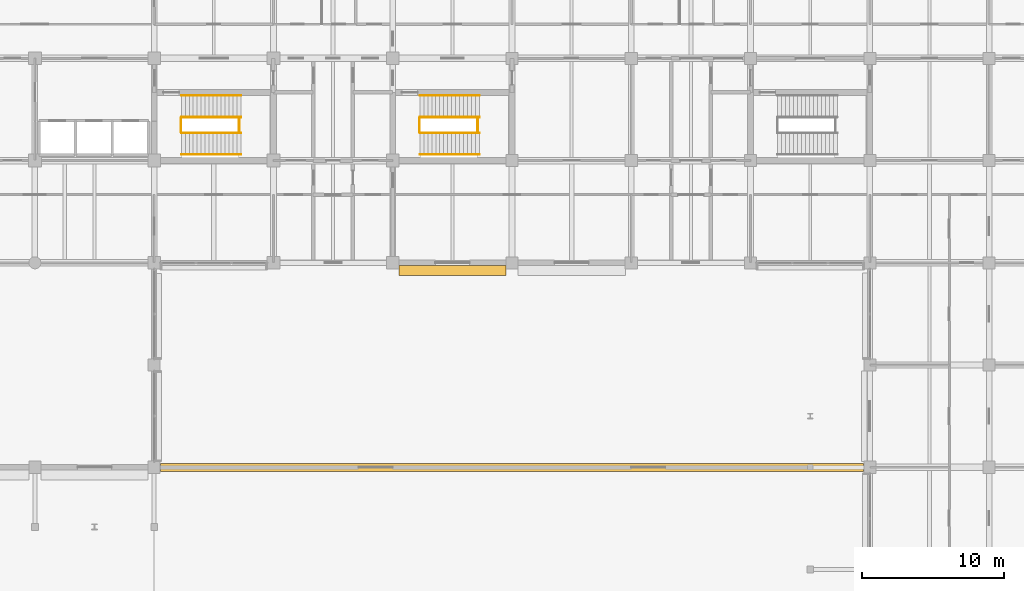
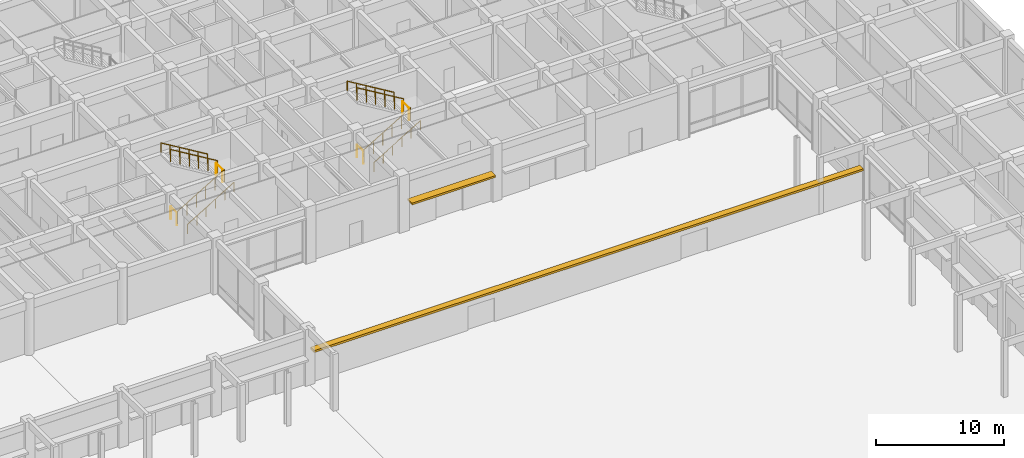
# One storey, part 70 of 73: 12 railings, 2 shading devices.
"""IFC4 building model written with IfcOpenShell, lengths in metres."""

from ifc_helpers import new_model, si_unit, direction, frame, origin, origin_2d, place, context, subcontext, project, spatial, rectangle, circle, extrude, material, type_object, element, save


model = new_model("IFC4")

# Units and contexts
model_context = context("Model", 3, precision=1e-05, world=origin(), true_north=direction((0.0, 1.0)))
body_context = subcontext(model_context, "Body", "Model", "MODEL_VIEW")
ifc_project = project(units=[si_unit("LENGTHUNIT", "METRE"), si_unit("AREAUNIT", "SQUARE_METRE"), si_unit("VOLUMEUNIT", "CUBIC_METRE"), si_unit("PLANEANGLEUNIT", "RADIAN"), si_unit("MASSUNIT", "GRAM", prefix="KILO")], contexts=[model_context])

# Site, building, storey
site_placement = place(None, origin())
site = spatial("IfcSite", under=ifc_project, at=site_placement, CompositionType="ELEMENT")
building_placement = place(site_placement, origin())
building = spatial("IfcBuilding", under=site, at=building_placement, Name="Chengyuan Square Courthouse", CompositionType="ELEMENT")
storey_placement = place(building_placement, origin())
storey = spatial("IfcBuildingStorey", under=building, at=storey_placement, Name="L01", CompositionType="ELEMENT", Elevation=0.0)

# Railings
ifc_material_1 = material(Name="Tempered Glass and Timber Top-Rail Balustrade", Category="wood")
railing_type_1 = type_object("IfcRailingType", Name="RL-02", PredefinedType="BALUSTRADE", material=ifc_material_1)
for number, where, name in (
    (1, (102.68994140625, 88.39990234375, 0.0), "Stair Floor Slot Guard ST-4 L01"),
    (2, (106.7900390625, 88.39990234375, 2.699951171875), "Stair Landing Guard ST-4-L01"),
):
    element("IfcRailing", number, at=place(storey_placement, frame(where)), inside=storey, type_object=railing_type_1, Name=name, PredefinedType="BALUSTRADE", context=body_context, shape_type="SweptSolid", body=[
        extrude(circle(Radius=0.02392578125, at=origin_2d()), frame((0.0, 0.0, 1.17578125), z_axis=(0.0, 1.0, 0.0), x_axis=(-1.0, 0.0, 0.0)), (0.0, 0.0, 1.0), 1.0),
        extrude(circle(Radius=0.02099609375, at=origin_2d()), origin(), (0.0, 0.0, 1.0), 1.15185546875),
        extrude(circle(Radius=0.02099609375, at=origin_2d()), frame((0.0, 1.0, 0.0)), (0.0, 0.0, 1.0), 1.15185546875),
    ])
railing_1_placement = place(storey_placement, frame((102.7099609375, 88.35009765625, 0.168701171875)))
element("IfcRailing", 3, at=railing_1_placement, inside=storey, type_object=railing_type_1, Name="Stair Flight 1 Guard ST-4-L01", PredefinedType="BALUSTRADE", context=body_context, shape_type="SweptSolid", body=[
    extrude(circle(Radius=0.02392578125, at=origin_2d()), frame((0.0, 0.0, 1.17578125), z_axis=(0.856476492594, 0.0, 0.516186030065), x_axis=(0.0, 1.0, 0.0)), (0.0, 0.0, 1.0), 4.90380859375),
    extrude(circle(Radius=0.02099609375, at=origin_2d()), origin(), (0.0, 0.0, 1.0), 1.15185546875),
    extrude(circle(Radius=0.02099609375, at=origin_2d()), frame((0.840087890625, 0.0, 0.50634765625)), (0.0, 0.0, 1.0), 1.15185546875),
    extrude(circle(Radius=0.02099609375, at=origin_2d()), frame((1.679931640625, 0.0, 1.012451171875)), (0.0, 0.0, 1.0), 1.15185546875),
    extrude(circle(Radius=0.02099609375, at=origin_2d()), frame((2.52001953125, 0.0, 1.518798828125)), (0.0, 0.0, 1.0), 1.15185546875),
    extrude(circle(Radius=0.02099609375, at=origin_2d()), frame((3.35986328125, 0.0, 2.02490234375)), (0.0, 0.0, 1.0), 1.15185546875),
    extrude(circle(Radius=0.02099609375, at=origin_2d()), frame((4.199951171875, 0.0, 2.53125)), (0.0, 0.0, 1.0), 1.15185546875),
])
railing_2_placement = place(storey_placement, frame((106.909912109375, 89.449951171875, 2.868896484375)))
element("IfcRailing", 4, at=railing_2_placement, inside=storey, type_object=railing_type_1, Name="Stair Flight 2 Guard ST-4-L01", PredefinedType="BALUSTRADE", context=body_context, shape_type="SweptSolid", body=[
    extrude(circle(Radius=0.02392578125, at=origin_2d()), frame((0.0, 0.0, 1.17578125), z_axis=(-0.856498503035, 0.0, 0.5161495077), x_axis=(0.0, -1.0, 0.0)), (0.0, 0.0, 1.0), 4.903564453125),
    extrude(circle(Radius=0.02099609375, at=origin_2d()), origin(), (0.0, 0.0, 1.0), 1.15185546875),
    extrude(circle(Radius=0.02099609375, at=origin_2d()), frame((-0.840087890625, 0.0, 0.506103515625)), (0.0, 0.0, 1.0), 1.15185546875),
    extrude(circle(Radius=0.02099609375, at=origin_2d()), frame((-1.679931640625, 0.0, 1.012451171875)), (0.0, 0.0, 1.0), 1.15185546875),
    extrude(circle(Radius=0.02099609375, at=origin_2d()), frame((-2.52001953125, 0.0, 1.5185546875)), (0.0, 0.0, 1.0), 1.15185546875),
    extrude(circle(Radius=0.02099609375, at=origin_2d()), frame((-3.35986328125, 0.0, 2.02490234375)), (0.0, 0.0, 1.0), 1.15185546875),
    extrude(circle(Radius=0.02099609375, at=origin_2d()), frame((-4.199951171875, 0.0, 2.531005859375)), (0.0, 0.0, 1.0), 1.15185546875),
])
for number, where, name in (
    (5, (119.489990234375, 88.39990234375, 0.0), "Stair Floor Slot Guard ST-6 L01"),
    (6, (123.590087890625, 88.39990234375, 2.699951171875), "Stair Landing Guard ST-6-L01"),
):
    element("IfcRailing", number, at=place(storey_placement, frame(where)), inside=storey, type_object=railing_type_1, Name=name, PredefinedType="BALUSTRADE", context=body_context, shape_type="SweptSolid", body=[
        extrude(circle(Radius=0.02392578125, at=origin_2d()), frame((0.0, 0.0, 1.17578125), z_axis=(0.0, 1.0, 0.0), x_axis=(-1.0, 0.0, 0.0)), (0.0, 0.0, 1.0), 1.0),
        extrude(circle(Radius=0.02099609375, at=origin_2d()), origin(), (0.0, 0.0, 1.0), 1.15185546875),
        extrude(circle(Radius=0.02099609375, at=origin_2d()), frame((0.0, 1.0, 0.0)), (0.0, 0.0, 1.0), 1.15185546875),
    ])
railing_3_placement = place(storey_placement, frame((119.510009765625, 88.35009765625, 0.168701171875)))
element("IfcRailing", 7, at=railing_3_placement, inside=storey, type_object=railing_type_1, Name="Stair Flight 1 Guard ST-6-L01", PredefinedType="BALUSTRADE", context=body_context, shape_type="SweptSolid", body=[
    extrude(circle(Radius=0.02392578125, at=origin_2d()), frame((0.0, 0.0, 1.17578125), z_axis=(0.856476492594, 0.0, 0.516186030065), x_axis=(0.0, 1.0, 0.0)), (0.0, 0.0, 1.0), 4.90380859375),
    extrude(circle(Radius=0.02099609375, at=origin_2d()), origin(), (0.0, 0.0, 1.0), 1.15185546875),
    extrude(circle(Radius=0.02099609375, at=origin_2d()), frame((0.840087890625, 0.0, 0.50634765625)), (0.0, 0.0, 1.0), 1.15185546875),
    extrude(circle(Radius=0.02099609375, at=origin_2d()), frame((1.679931640625, 0.0, 1.012451171875)), (0.0, 0.0, 1.0), 1.15185546875),
    extrude(circle(Radius=0.02099609375, at=origin_2d()), frame((2.52001953125, 0.0, 1.518798828125)), (0.0, 0.0, 1.0), 1.15185546875),
    extrude(circle(Radius=0.02099609375, at=origin_2d()), frame((3.35986328125, 0.0, 2.02490234375)), (0.0, 0.0, 1.0), 1.15185546875),
    extrude(circle(Radius=0.02099609375, at=origin_2d()), frame((4.199951171875, 0.0, 2.53125)), (0.0, 0.0, 1.0), 1.15185546875),
])
railing_4_placement = place(storey_placement, frame((123.7099609375, 89.449951171875, 2.868896484375)))
element("IfcRailing", 8, at=railing_4_placement, inside=storey, type_object=railing_type_1, Name="Stair Flight 2 Guard ST-6-L01", PredefinedType="BALUSTRADE", context=body_context, shape_type="SweptSolid", body=[
    extrude(circle(Radius=0.02392578125, at=origin_2d()), frame((0.0, 0.0, 1.17578125), z_axis=(-0.856498503035, 0.0, 0.5161495077), x_axis=(0.0, -1.0, 0.0)), (0.0, 0.0, 1.0), 4.903564453125),
    extrude(circle(Radius=0.02099609375, at=origin_2d()), origin(), (0.0, 0.0, 1.0), 1.15185546875),
    extrude(circle(Radius=0.02099609375, at=origin_2d()), frame((-0.840087890625, 0.0, 0.506103515625)), (0.0, 0.0, 1.0), 1.15185546875),
    extrude(circle(Radius=0.02099609375, at=origin_2d()), frame((-1.679931640625, 0.0, 1.012451171875)), (0.0, 0.0, 1.0), 1.15185546875),
    extrude(circle(Radius=0.02099609375, at=origin_2d()), frame((-2.52001953125, 0.0, 1.5185546875)), (0.0, 0.0, 1.0), 1.15185546875),
    extrude(circle(Radius=0.02099609375, at=origin_2d()), frame((-3.35986328125, 0.0, 2.02490234375)), (0.0, 0.0, 1.0), 1.15185546875),
    extrude(circle(Radius=0.02099609375, at=origin_2d()), frame((-4.199951171875, 0.0, 2.531005859375)), (0.0, 0.0, 1.0), 1.15185546875),
])
ifc_material_2 = material(Name="Stainless Steel S30408 Stair Handrail", Category="steel")
railing_type_2 = type_object("IfcRailingType", Name="RL-04", PredefinedType="HANDRAIL", material=ifc_material_2)
railing_5_placement = place(storey_placement, frame((102.7099609375, 86.820068359375, 0.168701171875)))
element("IfcRailing", 9, at=railing_5_placement, inside=storey, type_object=railing_type_2, Name="Stair Flight 1 Handrail ST-4-L01", PredefinedType="HANDRAIL", context=body_context, shape_type="SweptSolid", body=[
    extrude(circle(Radius=0.02392578125, at=origin_2d()), frame((0.0, 0.0, 0.8759765625), z_axis=(0.856476492594, 0.0, 0.516186030065), x_axis=(0.0, 1.0, 0.0)), (0.0, 0.0, 1.0), 4.90380859375),
    extrude(circle(Radius=0.02099609375, at=origin_2d()), origin(), (0.0, 0.0, 1.0), 0.851806640625),
    extrude(circle(Radius=0.02099609375, at=origin_2d()), frame((0.840087890625, 0.0, 0.50634765625)), (0.0, 0.0, 1.0), 0.851806640625),
    extrude(circle(Radius=0.02099609375, at=origin_2d()), frame((1.679931640625, 0.0, 1.012451171875)), (0.0, 0.0, 1.0), 0.851806640625),
    extrude(circle(Radius=0.02099609375, at=origin_2d()), frame((2.52001953125, 0.0, 1.518798828125)), (0.0, 0.0, 1.0), 0.851806640625),
    extrude(circle(Radius=0.02099609375, at=origin_2d()), frame((3.35986328125, 0.0, 2.02490234375)), (0.0, 0.0, 1.0), 0.851806640625),
    extrude(circle(Radius=0.02099609375, at=origin_2d()), frame((4.199951171875, 0.0, 2.53125)), (0.0, 0.0, 1.0), 0.851806640625),
])
railing_6_placement = place(storey_placement, frame((106.909912109375, 90.97998046875, 2.868896484375)))
element("IfcRailing", 10, at=railing_6_placement, inside=storey, type_object=railing_type_2, Name="Stair Flight 2 Handrail ST-4-L01", PredefinedType="HANDRAIL", context=body_context, shape_type="SweptSolid", body=[
    extrude(circle(Radius=0.02392578125, at=origin_2d()), frame((0.0, 0.0, 0.8759765625), z_axis=(-0.856498503035, 0.0, 0.5161495077), x_axis=(0.0, -1.0, 0.0)), (0.0, 0.0, 1.0), 4.903564453125),
    extrude(circle(Radius=0.02099609375, at=origin_2d()), origin(), (0.0, 0.0, 1.0), 0.851806640625),
    extrude(circle(Radius=0.02099609375, at=origin_2d()), frame((-0.840087890625, 0.0, 0.506103515625)), (0.0, 0.0, 1.0), 0.851806640625),
    extrude(circle(Radius=0.02099609375, at=origin_2d()), frame((-1.679931640625, 0.0, 1.012451171875)), (0.0, 0.0, 1.0), 0.851806640625),
    extrude(circle(Radius=0.02099609375, at=origin_2d()), frame((-2.52001953125, 0.0, 1.5185546875)), (0.0, 0.0, 1.0), 0.851806640625),
    extrude(circle(Radius=0.02099609375, at=origin_2d()), frame((-3.35986328125, 0.0, 2.02490234375)), (0.0, 0.0, 1.0), 0.851806640625),
    extrude(circle(Radius=0.02099609375, at=origin_2d()), frame((-4.199951171875, 0.0, 2.531005859375)), (0.0, 0.0, 1.0), 0.851806640625),
])
railing_7_placement = place(storey_placement, frame((119.510009765625, 86.820068359375, 0.168701171875)))
element("IfcRailing", 11, at=railing_7_placement, inside=storey, type_object=railing_type_2, Name="Stair Flight 1 Handrail ST-6-L01", PredefinedType="HANDRAIL", context=body_context, shape_type="SweptSolid", body=[
    extrude(circle(Radius=0.02392578125, at=origin_2d()), frame((0.0, 0.0, 0.8759765625), z_axis=(0.856476492594, 0.0, 0.516186030065), x_axis=(0.0, 1.0, 0.0)), (0.0, 0.0, 1.0), 4.90380859375),
    extrude(circle(Radius=0.02099609375, at=origin_2d()), origin(), (0.0, 0.0, 1.0), 0.851806640625),
    extrude(circle(Radius=0.02099609375, at=origin_2d()), frame((0.840087890625, 0.0, 0.50634765625)), (0.0, 0.0, 1.0), 0.851806640625),
    extrude(circle(Radius=0.02099609375, at=origin_2d()), frame((1.679931640625, 0.0, 1.012451171875)), (0.0, 0.0, 1.0), 0.851806640625),
    extrude(circle(Radius=0.02099609375, at=origin_2d()), frame((2.52001953125, 0.0, 1.518798828125)), (0.0, 0.0, 1.0), 0.851806640625),
    extrude(circle(Radius=0.02099609375, at=origin_2d()), frame((3.35986328125, 0.0, 2.02490234375)), (0.0, 0.0, 1.0), 0.851806640625),
    extrude(circle(Radius=0.02099609375, at=origin_2d()), frame((4.199951171875, 0.0, 2.53125)), (0.0, 0.0, 1.0), 0.851806640625),
])
railing_8_placement = place(storey_placement, frame((123.7099609375, 90.97998046875, 2.868896484375)))
element("IfcRailing", 12, at=railing_8_placement, inside=storey, type_object=railing_type_2, Name="Stair Flight 2 Handrail ST-6-L01", PredefinedType="HANDRAIL", context=body_context, shape_type="SweptSolid", body=[
    extrude(circle(Radius=0.02392578125, at=origin_2d()), frame((0.0, 0.0, 0.8759765625), z_axis=(-0.856498503035, 0.0, 0.5161495077), x_axis=(0.0, -1.0, 0.0)), (0.0, 0.0, 1.0), 4.903564453125),
    extrude(circle(Radius=0.02099609375, at=origin_2d()), origin(), (0.0, 0.0, 1.0), 0.851806640625),
    extrude(circle(Radius=0.02099609375, at=origin_2d()), frame((-0.840087890625, 0.0, 0.506103515625)), (0.0, 0.0, 1.0), 0.851806640625),
    extrude(circle(Radius=0.02099609375, at=origin_2d()), frame((-1.679931640625, 0.0, 1.012451171875)), (0.0, 0.0, 1.0), 0.851806640625),
    extrude(circle(Radius=0.02099609375, at=origin_2d()), frame((-2.52001953125, 0.0, 1.5185546875)), (0.0, 0.0, 1.0), 0.851806640625),
    extrude(circle(Radius=0.02099609375, at=origin_2d()), frame((-3.35986328125, 0.0, 2.02490234375)), (0.0, 0.0, 1.0), 0.851806640625),
    extrude(circle(Radius=0.02099609375, at=origin_2d()), frame((-4.199951171875, 0.0, 2.531005859375)), (0.0, 0.0, 1.0), 0.851806640625),
])

# Shading devices
ifc_material_3 = material(Name="Glulam TCt28 Entrance Canopy", Category="wood")
shading_device_type_1 = type_object("IfcShadingDeviceType", Name="SHD-05", PredefinedType="AWNING", material=ifc_material_3)
shading_device_1_placement = place(storey_placement, frame((121.8125, 78.66796875, 2.66015625), z_axis=(0.0, 0.0, 1.0), x_axis=(1.0, 0.0, 0.0)))
element("IfcShadingDevice", 13, at=shading_device_1_placement, inside=storey, type_object=shading_device_type_1, Name="Glulam Entrance Canopy SHD-L01-0074", PredefinedType="AWNING", context=body_context, shape_type="SweptSolid", body=[
    extrude(rectangle(XDim=7.534912109375, YDim=0.699951171875, at=origin_2d()), origin(), (0.0, 0.0, 1.0), 0.179931640625),
])
ifc_material_4 = material(Name="Glulam TCt28 Screen Coping", Category="wood")
shading_device_type_2 = type_object("IfcShadingDeviceType", Name="SHD-07", PredefinedType="AWNING", material=ifc_material_4)
shading_device_2_placement = place(storey_placement, frame((126.0, 64.800048828125, 2.83984375), z_axis=(0.0, 0.0, 1.0), x_axis=(1.0, 0.0, 0.0)))
element("IfcShadingDevice", 14, at=shading_device_2_placement, inside=storey, type_object=shading_device_type_2, Name="Glulam Forecourt Screen Coping SHD-L01-0967", PredefinedType="AWNING", context=body_context, shape_type="SweptSolid", body=[
    extrude(rectangle(XDim=49.5, YDim=0.56005859375, at=origin_2d()), origin(), (0.0, 0.0, 1.0), 0.199951171875),
])

save(model, "model.ifc")
